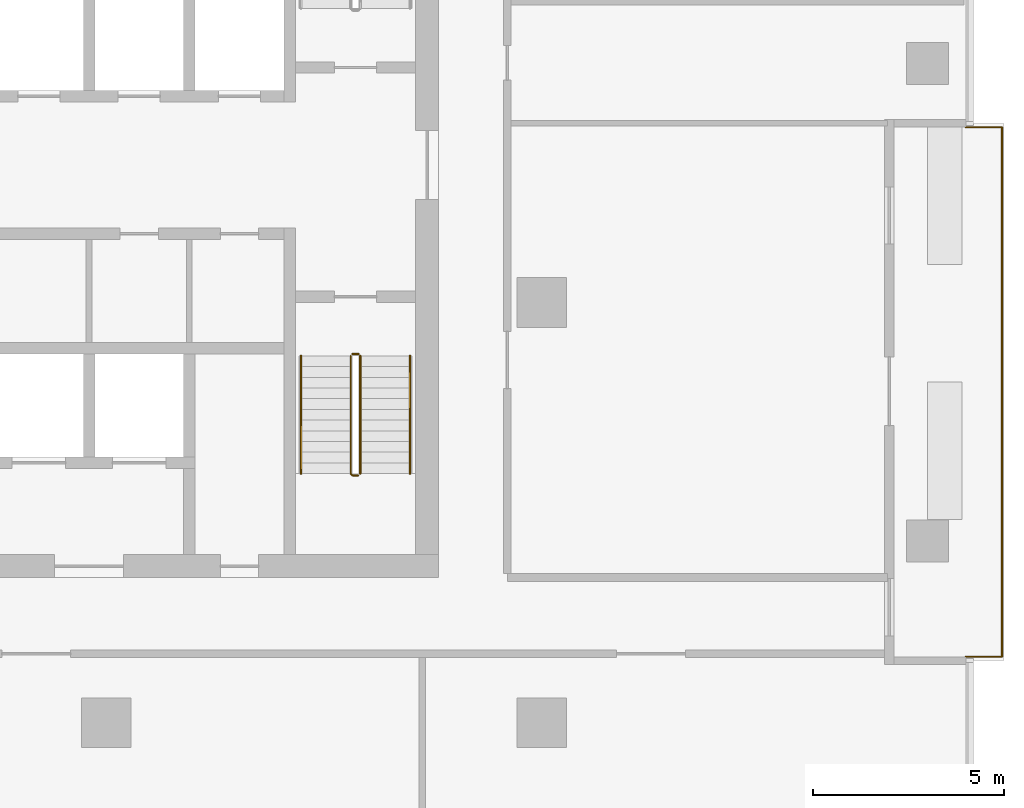
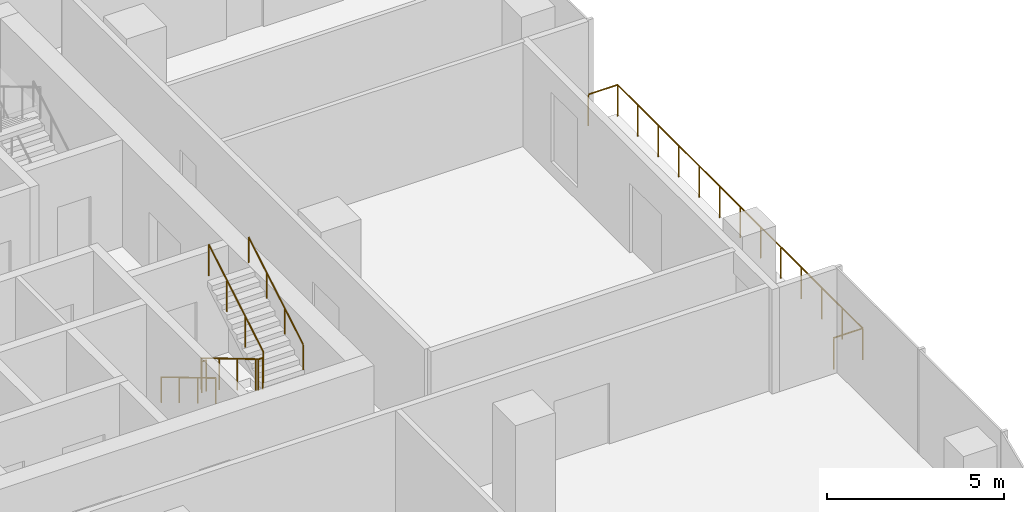
# One storey, part 12 of 14: 6 railings.
"""IFC4 building model written with IfcOpenShell, lengths in metres."""

from ifc_helpers import new_model, si_unit, direction, frame, origin, origin_2d, place, context, subcontext, project, spatial, circle, extrude, material, type_object, element, save


model = new_model("IFC4")

# Units and contexts
model_context = context("Model", 3, precision=1e-05, world=origin(), true_north=direction((0.0, 1.0)))
body_context = subcontext(model_context, "Body", "Model", "MODEL_VIEW")
ifc_project = project(units=[si_unit("LENGTHUNIT", "METRE"), si_unit("AREAUNIT", "SQUARE_METRE"), si_unit("VOLUMEUNIT", "CUBIC_METRE"), si_unit("PLANEANGLEUNIT", "RADIAN"), si_unit("MASSUNIT", "GRAM", prefix="KILO")], contexts=[model_context])

# Site, building, storey
site_placement = place(None, origin())
site = spatial("IfcSite", under=ifc_project, at=site_placement, CompositionType="ELEMENT")
building_placement = place(site_placement, origin())
building = spatial("IfcBuilding", under=site, at=building_placement, Name="Mopane Tessera Tower", CompositionType="ELEMENT")
storey_placement = place(building_placement, frame((0.0, 0.0, 231.0)))
storey = spatial("IfcBuildingStorey", under=building, at=storey_placement, Name="L49", CompositionType="ELEMENT", Elevation=231.0)

# Railings
ifc_material_1 = material(Name="Powder-coated steel balustrade", Category="steel")
railing_type_1 = type_object("IfcRailingType", Name="Escape stair guard 1100 mm", PredefinedType="GUARDRAIL", material=ifc_material_1)
railing_1_placement = place(storey_placement, frame((12.10009765625, -1.39990234375, 0.166748046875)))
element("IfcRailing", 1, at=railing_1_placement, inside=storey, type_object=railing_type_1, Name="L49 ST3 stair guard 1", PredefinedType="GUARDRAIL", context=body_context, shape_type="SweptSolid", body=[
    extrude(circle(Radius=0.02392578125, at=origin_2d()), frame((0.0, 0.0, 1.076171875), z_axis=(0.0, -0.859308565015, 0.511457515432), x_axis=(1.0, 0.0, 0.0)), (0.0, 0.0, 1.0), 3.58447265625),
    extrude(circle(Radius=0.02392578125, at=origin_2d()), frame((0.0, -3.080078125, 2.9091796875), z_axis=(0.705375805398, -0.708833529934, 0.0), x_axis=(0.708833529934, 0.705375805398, 0.0)), (0.0, 0.0, 1.0), 0.070556640625),
    extrude(circle(Radius=0.02392578125, at=origin_2d()), frame((0.0498046875, -3.130126953125, 2.9091796875), z_axis=(1.0, 0.0, 0.0), x_axis=(0.0, 1.0, 0.0)), (0.0, 0.0, 1.0), 0.150146484375),
    extrude(circle(Radius=0.02099609375, at=origin_2d()), origin(), (0.0, 0.0, 1.0), 1.052001953125),
    extrude(circle(Radius=0.02099609375, at=origin_2d()), frame((0.0, -1.026611328125, 0.611083984375)), (0.0, 0.0, 1.0), 1.052001953125),
    extrude(circle(Radius=0.02099609375, at=origin_2d()), frame((0.0, -2.053466796875, 1.22216796875)), (0.0, 0.0, 1.0), 1.052001953125),
    extrude(circle(Radius=0.02099609375, at=origin_2d()), frame((0.0, -3.080078125, 1.833251953125)), (0.0, 0.0, 1.0), 1.052001953125),
    extrude(circle(Radius=0.02099609375, at=origin_2d()), frame((0.0498046875, -3.130126953125, 1.833251953125)), (0.0, 0.0, 1.0), 1.052001953125),
    extrude(circle(Radius=0.02099609375, at=origin_2d()), frame((0.199951171875, -3.130126953125, 1.833251953125)), (0.0, 0.0, 1.0), 1.052001953125),
])
railing_2_placement = place(storey_placement, frame((12.35009765625, -4.47998046875, 2.166748046875)))
element("IfcRailing", 2, at=railing_2_placement, inside=storey, type_object=railing_type_1, Name="L49 ST3 stair guard 2", PredefinedType="GUARDRAIL", context=body_context, shape_type="SweptSolid", body=[
    extrude(circle(Radius=0.02392578125, at=origin_2d()), frame((0.0, 0.0, 1.076171875), z_axis=(0.0, 0.859308565015, 0.511457515432), x_axis=(-1.0, 0.0, 0.0)), (0.0, 0.0, 1.0), 3.58447265625),
    extrude(circle(Radius=0.02099609375, at=origin_2d()), origin(), (0.0, 0.0, 1.0), 1.052001953125),
    extrude(circle(Radius=0.02099609375, at=origin_2d()), frame((0.0, 1.026611328125, 0.611083984375)), (0.0, 0.0, 1.0), 1.052001953125),
    extrude(circle(Radius=0.02099609375, at=origin_2d()), frame((0.0, 2.053466796875, 1.22216796875)), (0.0, 0.0, 1.0), 1.052001953125),
    extrude(circle(Radius=0.02099609375, at=origin_2d()), frame((0.0, 3.080078125, 1.833251953125)), (0.0, 0.0, 1.0), 1.052001953125),
])
railing_3_placement = place(storey_placement, frame((12.14990234375, -1.35009765625, 0.0)))
element("IfcRailing", 3, at=railing_3_placement, inside=storey, type_object=railing_type_1, Name="L49 ST3 stair guard 3", PredefinedType="GUARDRAIL", context=body_context, shape_type="SweptSolid", body=[
    extrude(circle(Radius=0.02392578125, at=origin_2d()), frame((0.0, 0.0, 1.076171875), z_axis=(1.0, 0.0, 0.0), x_axis=(0.0, 1.0, 0.0)), (0.0, 0.0, 1.0), 0.150146484375),
    extrude(circle(Radius=0.02099609375, at=origin_2d()), origin(), (0.0, 0.0, 1.0), 1.052001953125),
    extrude(circle(Radius=0.02099609375, at=origin_2d()), frame((0.150146484375, 0.0, 0.0)), (0.0, 0.0, 1.0), 1.052001953125),
])
ifc_material_2 = material(Name="Powder-coated steel balustrade", Category="steel")
railing_type_2 = type_object("IfcRailingType", Name="Escape stair handrail 900 mm", PredefinedType="HANDRAIL", material=ifc_material_2)
railing_4_placement = place(storey_placement, frame((10.800048828125, -1.39990234375, 0.166748046875)))
element("IfcRailing", 4, at=railing_4_placement, inside=storey, type_object=railing_type_2, Name="L49 ST3 stair handrail 1", PredefinedType="HANDRAIL", context=body_context, shape_type="SweptSolid", body=[
    extrude(circle(Radius=0.02392578125, at=origin_2d()), frame((0.0, 0.0, 0.8759765625), z_axis=(0.0, -0.859308565015, 0.511457515432), x_axis=(1.0, 0.0, 0.0)), (0.0, 0.0, 1.0), 3.58447265625),
    extrude(circle(Radius=0.02099609375, at=origin_2d()), origin(), (0.0, 0.0, 1.0), 0.851806640625),
    extrude(circle(Radius=0.02099609375, at=origin_2d()), frame((0.0, -1.026611328125, 0.611083984375)), (0.0, 0.0, 1.0), 0.851806640625),
    extrude(circle(Radius=0.02099609375, at=origin_2d()), frame((0.0, -2.053466796875, 1.22216796875)), (0.0, 0.0, 1.0), 0.851806640625),
    extrude(circle(Radius=0.02099609375, at=origin_2d()), frame((0.0, -3.080078125, 1.833251953125)), (0.0, 0.0, 1.0), 0.851806640625),
])
railing_5_placement = place(storey_placement, frame((13.64990234375, -4.47998046875, 2.166748046875)))
element("IfcRailing", 5, at=railing_5_placement, inside=storey, type_object=railing_type_2, Name="L49 ST3 stair handrail 2", PredefinedType="HANDRAIL", context=body_context, shape_type="SweptSolid", body=[
    extrude(circle(Radius=0.02392578125, at=origin_2d()), frame((0.0, 0.0, 0.8759765625), z_axis=(0.0, 0.859308565015, 0.511457515432), x_axis=(-1.0, 0.0, 0.0)), (0.0, 0.0, 1.0), 3.58447265625),
    extrude(circle(Radius=0.02099609375, at=origin_2d()), origin(), (0.0, 0.0, 1.0), 0.851806640625),
    extrude(circle(Radius=0.02099609375, at=origin_2d()), frame((0.0, 1.026611328125, 0.611083984375)), (0.0, 0.0, 1.0), 0.851806640625),
    extrude(circle(Radius=0.02099609375, at=origin_2d()), frame((0.0, 2.053466796875, 1.22216796875)), (0.0, 0.0, 1.0), 0.851806640625),
    extrude(circle(Radius=0.02099609375, at=origin_2d()), frame((0.0, 3.080078125, 1.833251953125)), (0.0, 0.0, 1.0), 0.851806640625),
])
ifc_material_3 = material(Name="Stainless steel S316", Category="steel")
railing_type_3 = type_object("IfcRailingType", Name="Terrace guard 1100", PredefinedType="GUARDRAIL", material=ifc_material_3)
railing_6_placement = place(storey_placement, frame((28.199951171875, -9.27490234375, 0.0)))
element("IfcRailing", 6, at=railing_6_placement, inside=storey, type_object=railing_type_3, Name="e:nw:L49:N2:guard", PredefinedType="GUARDRAIL", context=body_context, shape_type="SweptSolid", body=[
    extrude(circle(Radius=0.02392578125, at=origin_2d()), frame((0.0, 0.0, 1.076171875), z_axis=(1.0, 0.0, 0.0), x_axis=(0.0, 1.0, 0.0)), (0.0, 0.0, 1.0), 0.949951171875),
    extrude(circle(Radius=0.02392578125, at=origin_2d()), frame((0.949951171875, 0.0, 1.076171875), z_axis=(0.0, 1.0, 0.0), x_axis=(-1.0, 0.0, 0.0)), (0.0, 0.0, 1.0), 13.8623046875),
    extrude(circle(Radius=0.02392578125, at=origin_2d()), frame((0.949951171875, 13.8623046875, 1.076171875), z_axis=(-1.0, 0.0, 0.0), x_axis=(0.0, -1.0, 0.0)), (0.0, 0.0, 1.0), 0.949951171875),
    extrude(circle(Radius=0.02099609375, at=origin_2d()), origin(), (0.0, 0.0, 1.0), 1.052001953125),
    extrude(circle(Radius=0.02099609375, at=origin_2d()), frame((0.949951171875, 0.0, 0.0)), (0.0, 0.0, 1.0), 1.052001953125),
    extrude(circle(Radius=0.02099609375, at=origin_2d()), frame((0.949951171875, 1.1552734375, 0.0)), (0.0, 0.0, 1.0), 1.052001953125),
    extrude(circle(Radius=0.02099609375, at=origin_2d()), frame((0.949951171875, 2.310302734375, 0.0)), (0.0, 0.0, 1.0), 1.052001953125),
    extrude(circle(Radius=0.02099609375, at=origin_2d()), frame((0.949951171875, 3.465576171875, 0.0)), (0.0, 0.0, 1.0), 1.052001953125),
    extrude(circle(Radius=0.02099609375, at=origin_2d()), frame((0.949951171875, 4.620849609375, 0.0)), (0.0, 0.0, 1.0), 1.052001953125),
    extrude(circle(Radius=0.02099609375, at=origin_2d()), frame((0.949951171875, 5.77587890625, 0.0)), (0.0, 0.0, 1.0), 1.052001953125),
    extrude(circle(Radius=0.02099609375, at=origin_2d()), frame((0.949951171875, 6.93115234375, 0.0)), (0.0, 0.0, 1.0), 1.052001953125),
    extrude(circle(Radius=0.02099609375, at=origin_2d()), frame((0.949951171875, 8.08642578125, 0.0)), (0.0, 0.0, 1.0), 1.052001953125),
    extrude(circle(Radius=0.02099609375, at=origin_2d()), frame((0.949951171875, 9.241455078125, 0.0)), (0.0, 0.0, 1.0), 1.052001953125),
    extrude(circle(Radius=0.02099609375, at=origin_2d()), frame((0.949951171875, 10.396728515625, 0.0)), (0.0, 0.0, 1.0), 1.052001953125),
    extrude(circle(Radius=0.02099609375, at=origin_2d()), frame((0.949951171875, 11.552001953125, 0.0)), (0.0, 0.0, 1.0), 1.052001953125),
    extrude(circle(Radius=0.02099609375, at=origin_2d()), frame((0.949951171875, 12.70703125, 0.0)), (0.0, 0.0, 1.0), 1.052001953125),
    extrude(circle(Radius=0.02099609375, at=origin_2d()), frame((0.949951171875, 13.8623046875, 0.0)), (0.0, 0.0, 1.0), 1.052001953125),
    extrude(circle(Radius=0.02099609375, at=origin_2d()), frame((0.0, 13.8623046875, 0.0)), (0.0, 0.0, 1.0), 1.052001953125),
])

save(model, "model.ifc")
